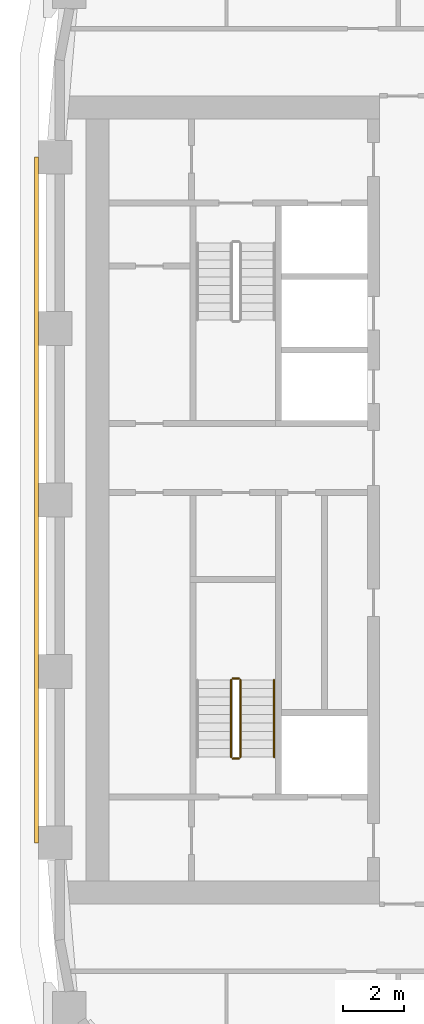
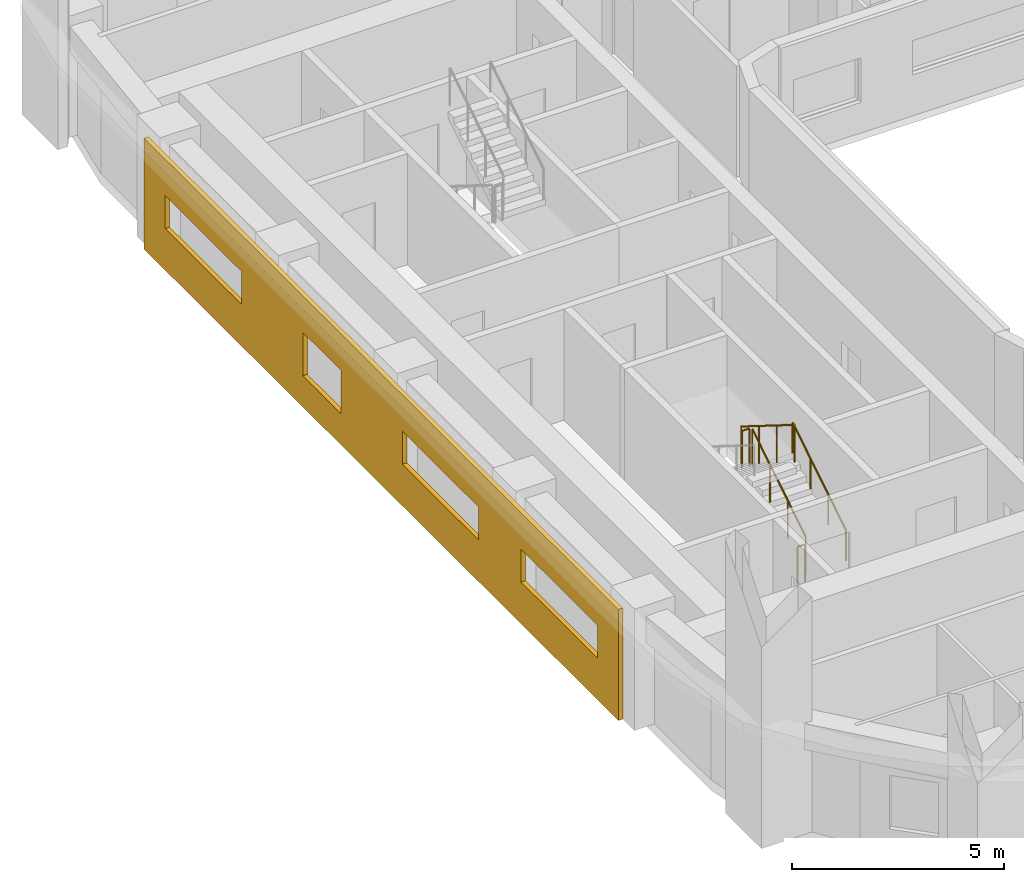
# One storey, part 12 of 18: 5 railings, 1 covering.
"""IFC4 building model written with IfcOpenShell, lengths in metres."""

from ifc_helpers import new_model, si_unit, direction, frame, origin, origin_2d, place, context, subcontext, project, spatial, polyline, circle, outline, extrude, material, layer, layer_set, type_object, element, save


model = new_model("IFC4")

# Units and contexts
model_context = context("Model", 3, precision=1e-05, world=origin(), true_north=direction((0.0, 1.0)))
body_context = subcontext(model_context, "Body", "Model", "MODEL_VIEW")
ifc_project = project(units=[si_unit("LENGTHUNIT", "METRE"), si_unit("AREAUNIT", "SQUARE_METRE"), si_unit("VOLUMEUNIT", "CUBIC_METRE"), si_unit("PLANEANGLEUNIT", "RADIAN"), si_unit("MASSUNIT", "GRAM", prefix="KILO")], contexts=[model_context])

# Site, building, storey
site_placement = place(None, origin())
site = spatial("IfcSite", under=ifc_project, at=site_placement, CompositionType="ELEMENT")
building_placement = place(site_placement, origin())
building = spatial("IfcBuilding", under=site, at=building_placement, Name="Kiln Ring Residences", CompositionType="ELEMENT")
storey_placement = place(building_placement, frame((0.0, 0.0, 136.10009765625)))
storey = spatial("IfcBuildingStorey", under=building, at=storey_placement, Name="L34", CompositionType="ELEMENT", Elevation=136.10009765625)

# Railings
ifc_material_1 = material(Name="Stainless steel", Category="steel")
railing_type_1 = type_object("IfcRailingType", Name="CORE-STAIR-GUARD", PredefinedType="GUARDRAIL", material=ifc_material_1)
railing_1_placement = place(storey_placement, frame((-21.949951171875, -8.39990234375, 0.1748046875)))
element("IfcRailing", 1, at=railing_1_placement, inside=storey, type_object=railing_type_1, Name="L34 W-STS stair guard 1", PredefinedType="GUARDRAIL", context=body_context, shape_type="SweptSolid", body=[
    extrude(circle(Radius=0.02392578125, at=origin_2d()), frame((0.0, 0.0, 1.076171875), z_axis=(0.0, 0.847970611238, 0.530043245855), x_axis=(-1.0, 0.0, 0.0)), (0.0, 0.0, 1.0), 2.971923828125),
    extrude(circle(Radius=0.02099609375, at=origin_2d()), origin(), (0.0, 0.0, 1.0), 1.052001953125),
    extrude(circle(Radius=0.02099609375, at=origin_2d()), frame((0.0, 0.840087890625, 0.525146484375)), (0.0, 0.0, 1.0), 1.052001953125),
    extrude(circle(Radius=0.02099609375, at=origin_2d()), frame((0.0, 1.679931640625, 1.050048828125)), (0.0, 0.0, 1.0), 1.052001953125),
    extrude(circle(Radius=0.02099609375, at=origin_2d()), frame((0.0, 2.52001953125, 1.5751953125)), (0.0, 0.0, 1.0), 1.052001953125),
])
railing_2_placement = place(storey_placement, frame((-22.0, -5.830078125, 1.75)))
element("IfcRailing", 2, at=railing_2_placement, inside=storey, type_object=railing_type_1, Name="L34 W-STS stair guard 2", PredefinedType="GUARDRAIL", context=body_context, shape_type="SweptSolid", body=[
    extrude(circle(Radius=0.02392578125, at=origin_2d()), frame((0.0, 0.0, 1.076171875), z_axis=(-1.0, 0.0, 0.0), x_axis=(0.0, -1.0, 0.0)), (0.0, 0.0, 1.0), 0.199951171875),
    extrude(circle(Radius=0.02099609375, at=origin_2d()), origin(), (0.0, 0.0, 1.0), 1.052001953125),
    extrude(circle(Radius=0.02099609375, at=origin_2d()), frame((-0.199951171875, 0.0, 0.0)), (0.0, 0.0, 1.0), 1.052001953125),
])
railing_3_placement = place(storey_placement, frame((-22.25, -5.8798828125, 1.9248046875)))
element("IfcRailing", 3, at=railing_3_placement, inside=storey, type_object=railing_type_1, Name="L34 W-STS stair guard 3", PredefinedType="GUARDRAIL", context=body_context, shape_type="SweptSolid", body=[
    extrude(circle(Radius=0.02392578125, at=origin_2d()), frame((0.0, 0.0, 1.076171875), z_axis=(0.0, -0.847970611238, 0.530043245855), x_axis=(1.0, 0.0, 0.0)), (0.0, 0.0, 1.0), 2.971923828125),
    extrude(circle(Radius=0.02099609375, at=origin_2d()), origin(), (0.0, 0.0, 1.0), 1.052001953125),
    extrude(circle(Radius=0.02099609375, at=origin_2d()), frame((0.0, -0.840087890625, 0.525146484375)), (0.0, 0.0, 1.0), 1.052001953125),
    extrude(circle(Radius=0.02099609375, at=origin_2d()), frame((0.0, -1.679931640625, 1.050048828125)), (0.0, 0.0, 1.0), 1.052001953125),
    extrude(circle(Radius=0.02099609375, at=origin_2d()), frame((0.0, -2.52001953125, 1.5751953125)), (0.0, 0.0, 1.0), 1.052001953125),
])
railing_4_placement = place(storey_placement, frame((-22.0, -8.449951171875, 0.0)))
element("IfcRailing", 4, at=railing_4_placement, inside=storey, type_object=railing_type_1, Name="L34 W-STS stair guard 4", PredefinedType="GUARDRAIL", context=body_context, shape_type="SweptSolid", body=[
    extrude(circle(Radius=0.02392578125, at=origin_2d()), frame((0.0, 0.0, 1.076171875), z_axis=(-1.0, 0.0, 0.0), x_axis=(0.0, -1.0, 0.0)), (0.0, 0.0, 1.0), 0.199951171875),
    extrude(circle(Radius=0.02099609375, at=origin_2d()), origin(), (0.0, 0.0, 1.0), 1.052001953125),
    extrude(circle(Radius=0.02099609375, at=origin_2d()), frame((-0.199951171875, 0.0, 0.0)), (0.0, 0.0, 1.0), 1.052001953125),
])
ifc_material_2 = material(Name="Stainless steel", Category="steel")
railing_type_2 = type_object("IfcRailingType", Name="CORE-STAIR-HANDRAIL", PredefinedType="HANDRAIL", material=ifc_material_2)
railing_5_placement = place(storey_placement, frame((-20.85009765625, -8.39990234375, 0.1748046875)))
element("IfcRailing", 5, at=railing_5_placement, inside=storey, type_object=railing_type_2, Name="L34 W-STS stair handrail 1", PredefinedType="HANDRAIL", context=body_context, shape_type="SweptSolid", body=[
    extrude(circle(Radius=0.02392578125, at=origin_2d()), frame((0.0, 0.0, 0.8759765625), z_axis=(0.0, 0.847970611238, 0.530043245855), x_axis=(-1.0, 0.0, 0.0)), (0.0, 0.0, 1.0), 2.971923828125),
    extrude(circle(Radius=0.02099609375, at=origin_2d()), origin(), (0.0, 0.0, 1.0), 0.851806640625),
    extrude(circle(Radius=0.02099609375, at=origin_2d()), frame((0.0, 0.840087890625, 0.525146484375)), (0.0, 0.0, 1.0), 0.851806640625),
    extrude(circle(Radius=0.02099609375, at=origin_2d()), frame((0.0, 1.679931640625, 1.050048828125)), (0.0, 0.0, 1.0), 0.851806640625),
    extrude(circle(Radius=0.02099609375, at=origin_2d()), frame((0.0, 2.52001953125, 1.5751953125)), (0.0, 0.0, 1.0), 0.851806640625),
])

# Covering
ifc_material_3 = material(Name="Brick masonry, dark clay brick", Category="masonry")
ifc_layer = layer(ifc_material_3, 0.1201171875)
ifc_layer_set = layer_set([ifc_layer], Name="RAINSCREEN PANEL 120")
covering_type = type_object("IfcCoveringType", Name="RAINSCREEN PANEL 120", PredefinedType="CLADDING", material=ifc_layer_set)
covering_placement = place(storey_placement, frame((-28.610107421875, 11.199951171875, 0.0), z_axis=(0.0, 0.0, 1.0), x_axis=(0.0, -1.0, 0.0)))
element("IfcCovering", 6, at=covering_placement, inside=storey, type_object=covering_type, Name="RAINSCREEN L34", PredefinedType="CLADDING", context=body_context, shape_type="SweptSolid", body=[
    extrude(outline(polyline([(0.0, 0.0), (22.39990234375, 0.0), (22.39990234375, 3.199951171875), (0.0, 3.199951171875), (0.0, 0.0)]), holes=[polyline([(9.300048828125, 0.89990234375), (9.300048828125, 2.14990234375), (7.5, 2.14990234375), (7.5, 0.89990234375), (9.300048828125, 0.89990234375)]), polyline([(4.60009765625, 1.199951171875), (4.60009765625, 2.14990234375), (1.0, 2.14990234375), (1.0, 1.199951171875), (4.60009765625, 1.199951171875)]), polyline([(15.800048828125, 1.199951171875), (15.800048828125, 2.14990234375), (12.199951171875, 2.14990234375), (12.199951171875, 1.199951171875), (15.800048828125, 1.199951171875)]), polyline([(21.39990234375, 1.199951171875), (21.39990234375, 2.14990234375), (17.800048828125, 2.14990234375), (17.800048828125, 1.199951171875), (21.39990234375, 1.199951171875)])]), frame((0.0, 0.06005859375, 0.0), z_axis=(0.0, -1.0, 0.0), x_axis=(1.0, 0.0, 0.0)), (0.0, 0.0, 1.0), 0.1201171875),
])

save(model, "model.ifc")
